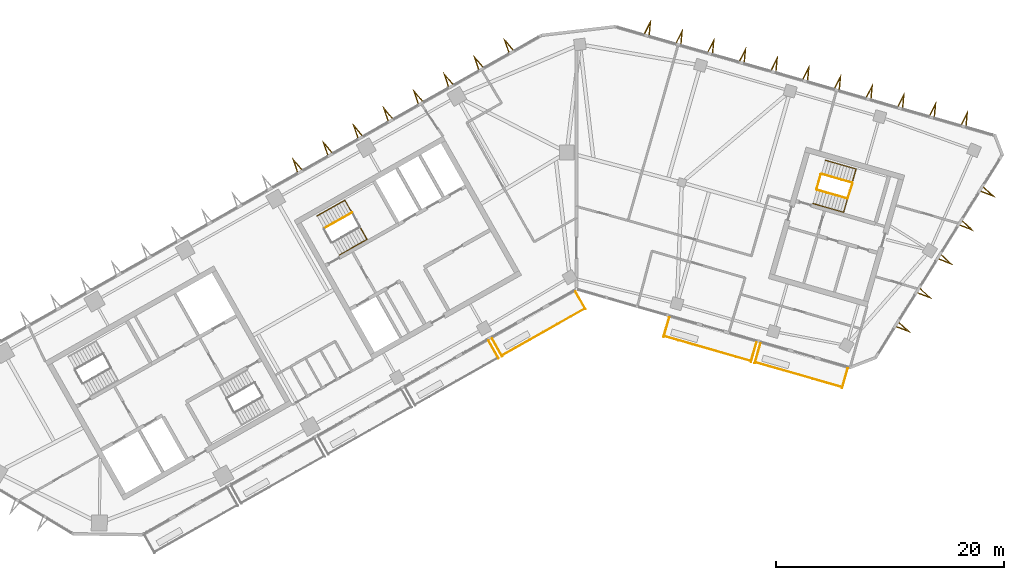
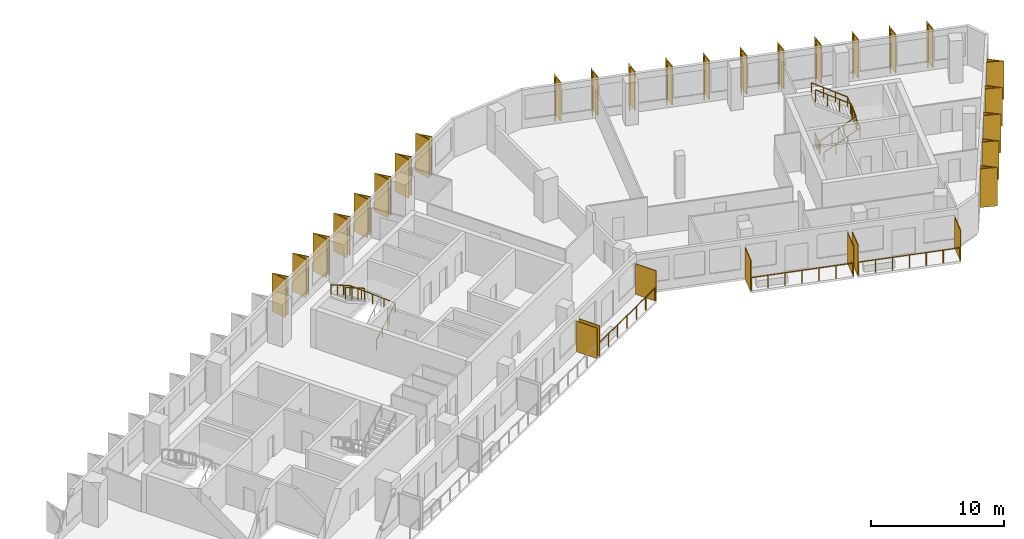
# One storey, part 11 of 12: 31 shading devices, 9 railings.
"""IFC4 building model written with IfcOpenShell, lengths in metres."""

from ifc_helpers import new_model, si_unit, direction, frame, origin, origin_2d, place, context, subcontext, project, spatial, polyline, rectangle, circle, outline, extrude, material, layer, layer_set, type_object, element, save


model = new_model("IFC4")

# Units and contexts
model_context = context("Model", 3, precision=1e-05, world=origin(), true_north=direction((0.0, 1.0)))
body_context = subcontext(model_context, "Body", "Model", "MODEL_VIEW")
ifc_project = project(units=[si_unit("LENGTHUNIT", "METRE"), si_unit("AREAUNIT", "SQUARE_METRE"), si_unit("VOLUMEUNIT", "CUBIC_METRE"), si_unit("PLANEANGLEUNIT", "RADIAN"), si_unit("MASSUNIT", "GRAM", prefix="KILO")], contexts=[model_context])

# Site, building, storey
site_placement = place(None, origin())
site = spatial("IfcSite", under=ifc_project, at=site_placement, CompositionType="ELEMENT")
building_placement = place(site_placement, origin())
building = spatial("IfcBuilding", under=site, at=building_placement, Name="Binnacle Exchange Tower", CompositionType="ELEMENT")
storey_placement = place(building_placement, frame((0.0, 0.0, 254.300048828125)))
storey = spatial("IfcBuildingStorey", under=building, at=storey_placement, Name="L56", CompositionType="ELEMENT", Elevation=254.300048828125)

# Railings
ifc_material_1 = material(Name="Bronze anodised aluminium frame", Category="aluminium")
railing_type_1 = type_object("IfcRailingType", Name="GUARD 1200", PredefinedType="GUARDRAIL", material=ifc_material_1)
railing_1_placement = place(storey_placement, frame((-6.5283203125, 42.186767578125, 0.0)))
element("IfcRailing", 1, at=railing_1_placement, inside=storey, type_object=railing_type_1, Name="Balcony guard G01-B04 L56", PredefinedType="GUARDRAIL", context=body_context, shape_type="SweptSolid", body=[
    extrude(circle(Radius=0.02392578125, at=origin_2d()), frame((0.0, 0.0, 1.17578125), z_axis=(0.870365821494, 0.492405662818, 0.0), x_axis=(-0.492405662818, 0.870365821494, 0.0)), (0.0, 0.0, 1.0), 8.334716796875),
    extrude(circle(Radius=0.02099609375, at=origin_2d()), origin(), (0.0, 0.0, 1.0), 1.15185546875),
    extrude(circle(Radius=0.02099609375, at=origin_2d()), frame((1.208984375, 0.68408203125, 0.0)), (0.0, 0.0, 1.0), 1.15185546875),
    extrude(circle(Radius=0.02099609375, at=origin_2d()), frame((2.41796875, 1.367919921875, 0.0)), (0.0, 0.0, 1.0), 1.15185546875),
    extrude(circle(Radius=0.02099609375, at=origin_2d()), frame((3.626953125, 2.052001953125, 0.0)), (0.0, 0.0, 1.0), 1.15185546875),
    extrude(circle(Radius=0.02099609375, at=origin_2d()), frame((4.836181640625, 2.736083984375, 0.0)), (0.0, 0.0, 1.0), 1.15185546875),
    extrude(circle(Radius=0.02099609375, at=origin_2d()), frame((6.045166015625, 3.419921875, 0.0)), (0.0, 0.0, 1.0), 1.15185546875),
    extrude(circle(Radius=0.02099609375, at=origin_2d()), frame((7.254150390625, 4.10400390625, 0.0)), (0.0, 0.0, 1.0), 1.15185546875),
])
railing_2_placement = place(storey_placement, frame((7.69140625, 43.875244140625, 0.0)))
element("IfcRailing", 2, at=railing_2_placement, inside=storey, type_object=railing_type_1, Name="Balcony guard G02-B01 L56", PredefinedType="GUARDRAIL", context=body_context, shape_type="SweptSolid", body=[
    extrude(circle(Radius=0.02392578125, at=origin_2d()), frame((0.0, 0.0, 1.17578125), z_axis=(0.961259965977, -0.275643388836, 0.0), x_axis=(0.275643388836, 0.961259965977, 0.0)), (0.0, 0.0, 1.0), 7.900634765625),
    extrude(circle(Radius=0.02099609375, at=origin_2d()), origin(), (0.0, 0.0, 1.0), 1.15185546875),
    extrude(circle(Radius=0.02099609375, at=origin_2d()), frame((1.265625, -0.363037109375, 0.0)), (0.0, 0.0, 1.0), 1.15185546875),
    extrude(circle(Radius=0.02099609375, at=origin_2d()), frame((2.531494140625, -0.725830078125, 0.0)), (0.0, 0.0, 1.0), 1.15185546875),
    extrude(circle(Radius=0.02099609375, at=origin_2d()), frame((3.79736328125, -1.0888671875, 0.0)), (0.0, 0.0, 1.0), 1.15185546875),
    extrude(circle(Radius=0.02099609375, at=origin_2d()), frame((5.06298828125, -1.451904296875, 0.0)), (0.0, 0.0, 1.0), 1.15185546875),
    extrude(circle(Radius=0.02099609375, at=origin_2d()), frame((6.32861328125, -1.814697265625, 0.0)), (0.0, 0.0, 1.0), 1.15185546875),
    extrude(circle(Radius=0.02099609375, at=origin_2d()), frame((7.594482421875, -2.177734375, 0.0)), (0.0, 0.0, 1.0), 1.15185546875),
])
railing_3_placement = place(storey_placement, frame((15.689453125, 41.581787109375, 0.0)))
element("IfcRailing", 3, at=railing_3_placement, inside=storey, type_object=railing_type_1, Name="Balcony guard G02-B02 L56", PredefinedType="GUARDRAIL", context=body_context, shape_type="SweptSolid", body=[
    extrude(circle(Radius=0.02392578125, at=origin_2d()), frame((0.0, 0.0, 1.17578125), z_axis=(0.961257617982, -0.275651576943, 0.0), x_axis=(0.275651576943, 0.961257617982, 0.0)), (0.0, 0.0, 1.0), 7.900390625),
    extrude(circle(Radius=0.02099609375, at=origin_2d()), origin(), (0.0, 0.0, 1.0), 1.15185546875),
    extrude(circle(Radius=0.02099609375, at=origin_2d()), frame((1.265625, -0.363037109375, 0.0)), (0.0, 0.0, 1.0), 1.15185546875),
    extrude(circle(Radius=0.02099609375, at=origin_2d()), frame((2.531494140625, -0.725830078125, 0.0)), (0.0, 0.0, 1.0), 1.15185546875),
    extrude(circle(Radius=0.02099609375, at=origin_2d()), frame((3.797119140625, -1.0888671875, 0.0)), (0.0, 0.0, 1.0), 1.15185546875),
    extrude(circle(Radius=0.02099609375, at=origin_2d()), frame((5.062744140625, -1.451904296875, 0.0)), (0.0, 0.0, 1.0), 1.15185546875),
    extrude(circle(Radius=0.02099609375, at=origin_2d()), frame((6.32861328125, -1.814697265625, 0.0)), (0.0, 0.0, 1.0), 1.15185546875),
    extrude(circle(Radius=0.02099609375, at=origin_2d()), frame((7.59423828125, -2.177734375, 0.0)), (0.0, 0.0, 1.0), 1.15185546875),
])

# Shading devices
ifc_material_2 = material(Name="Bronze aluminium louvre", Category="aluminium")
ifc_layer = layer(ifc_material_2, 0.06005859375)
ifc_layer_set = layer_set([ifc_layer], Name="PLANTED SCREEN 60x2800")
shading_device_type_1 = type_object("IfcShadingDeviceType", Name="PLANTED SCREEN 60x2800", PredefinedType="USERDEFINED", material=ifc_layer_set)
for number, where, z_axis, x_axis, name in (
    (4, (-7.271484375, 42.70849609375, 0.0), (0.0, 0.0, 1.0), (0.87035569594, 0.492423560103, 0.0), "Planted screen G01-B03b L56"),
    (5, (-6.9580078125, 42.885498046875, 0.0), (0.0, 0.0, 1.0), (0.87035569594, 0.492423560103, 0.0), "Planted screen G01-B04a L56"),
    (6, (0.34814453125, 47.019287109375, 0.0), (0.0, 0.0, 1.0), (0.87035569594, 0.492423560103, 0.0), "Planted screen G01-B04b L56"),
    (7, (7.888671875, 44.671630859375, 0.0), (0.0, 0.0, 1.0), (0.961261695938, -0.275637355817, 0.0), "Planted screen G02-B01a L56"),
    (8, (15.54052734375, 42.4775390625, 0.0), (0.0, 0.0, 1.0), (0.961261695938, -0.275637355817, 0.0), "Planted screen G02-B01b L56"),
    (9, (15.88671875, 42.37841796875, 0.0), (0.0, 0.0, 1.0), (0.961261695938, -0.275637355817, 0.0), "Planted screen G02-B02a L56"),
    (10, (23.538818359375, 40.18408203125, 0.0), (0.0, 0.0, 1.0), (0.961261695938, -0.275637355817, 0.0), "Planted screen G02-B02b L56"),
):
    element("IfcShadingDevice", number, at=place(storey_placement, frame(where, z_axis=z_axis, x_axis=x_axis)), inside=storey, type_object=shading_device_type_1, Name=name, ObjectType="SCREEN", PredefinedType="USERDEFINED", context=body_context, shape_type="SweptSolid", body=[
        extrude(rectangle(XDim=0.06005859375, YDim=1.800048828125, at=origin_2d()), origin(), (0.0, 0.0, 1.0), 2.800048828125),
    ])

# Railings
ifc_material_3 = material(Name="Steel guard rail", Category="steel")
railing_type_2 = type_object("IfcRailingType", Name="STAIR GUARD 1100", PredefinedType="GUARDRAIL", material=ifc_material_3)
railing_4_placement = place(storey_placement, frame((-19.70068359375, 54.71337890625, 2.127197265625)))
element("IfcRailing", 11, at=railing_4_placement, inside=storey, type_object=railing_type_2, Name="L56 STC1 stair guard 2", PredefinedType="GUARDRAIL", context=body_context, shape_type="SweptSolid", body=[
    extrude(circle(Radius=0.02392578125, at=origin_2d()), frame((0.0, 0.0, 1.076171875), z_axis=(-0.735381288273, -0.416018647052, 0.534923215202), x_axis=(0.492387636113, -0.870376019777, 0.0)), (0.0, 0.0, 1.0), 3.31396484375),
    extrude(circle(Radius=0.02099609375, at=origin_2d()), origin(), (0.0, 0.0, 1.0), 1.052001953125),
    extrude(circle(Radius=0.02099609375, at=origin_2d()), frame((-0.812255859375, -0.45947265625, 0.5908203125)), (0.0, 0.0, 1.0), 1.052001953125),
    extrude(circle(Radius=0.02099609375, at=origin_2d()), frame((-1.624755859375, -0.919189453125, 1.181884765625)), (0.0, 0.0, 1.0), 1.052001953125),
    extrude(circle(Radius=0.02099609375, at=origin_2d()), frame((-2.43701171875, -1.378662109375, 1.772705078125)), (0.0, 0.0, 1.0), 1.052001953125),
])
railing_5_placement = place(storey_placement, frame((21.086669921875, 56.71044921875, 0.17724609375)))
element("IfcRailing", 12, at=railing_5_placement, inside=storey, type_object=railing_type_2, Name="L56 STD1 stair guard 1", PredefinedType="GUARDRAIL", context=body_context, shape_type="SweptSolid", body=[
    extrude(circle(Radius=0.02392578125, at=origin_2d()), frame((0.0, 0.0, 1.076171875), z_axis=(0.81215085225, -0.232948203448, 0.534926282491), x_axis=(0.275711388614, 0.96124046429, 0.0)), (0.0, 0.0, 1.0), 3.31396484375),
    extrude(circle(Radius=0.02392578125, at=origin_2d()), frame((2.69140625, -0.77197265625, 2.8486328125), z_axis=(0.309842533299, 0.950787886208, 0.0), x_axis=(-0.950787886208, 0.309842533299, 0.0)), (0.0, 0.0, 1.0), 1.40087890625),
    extrude(circle(Radius=0.02099609375, at=origin_2d()), origin(), (0.0, 0.0, 1.0), 1.052001953125),
    extrude(circle(Radius=0.02099609375, at=origin_2d()), frame((0.897216796875, -0.25732421875, 0.5908203125)), (0.0, 0.0, 1.0), 1.052001953125),
    extrude(circle(Radius=0.02099609375, at=origin_2d()), frame((1.794189453125, -0.5146484375, 1.181884765625)), (0.0, 0.0, 1.0), 1.052001953125),
    extrude(circle(Radius=0.02099609375, at=origin_2d()), frame((2.69140625, -0.77197265625, 1.772705078125)), (0.0, 0.0, 1.0), 1.052001953125),
    extrude(circle(Radius=0.02099609375, at=origin_2d()), frame((2.908447265625, -0.10595703125, 1.772705078125)), (0.0, 0.0, 1.0), 1.052001953125),
    extrude(circle(Radius=0.02099609375, at=origin_2d()), frame((3.12548828125, 0.56005859375, 1.772705078125)), (0.0, 0.0, 1.0), 1.052001953125),
])
railing_6_placement = place(storey_placement, frame((24.177734375, 57.332275390625, 2.127197265625)))
element("IfcRailing", 13, at=railing_6_placement, inside=storey, type_object=railing_type_2, Name="L56 STD1 stair guard 2", PredefinedType="GUARDRAIL", context=body_context, shape_type="SweptSolid", body=[
    extrude(circle(Radius=0.02392578125, at=origin_2d()), frame((0.0, 0.0, 1.076171875), z_axis=(-0.81215085225, 0.232948203448, 0.534926282491), x_axis=(-0.275711388614, -0.96124046429, 0.0)), (0.0, 0.0, 1.0), 3.31396484375),
    extrude(circle(Radius=0.02099609375, at=origin_2d()), origin(), (0.0, 0.0, 1.0), 1.052001953125),
    extrude(circle(Radius=0.02099609375, at=origin_2d()), frame((-0.897216796875, 0.25732421875, 0.5908203125)), (0.0, 0.0, 1.0), 1.052001953125),
    extrude(circle(Radius=0.02099609375, at=origin_2d()), frame((-1.794189453125, 0.5146484375, 1.181884765625)), (0.0, 0.0, 1.0), 1.052001953125),
    extrude(circle(Radius=0.02099609375, at=origin_2d()), frame((-2.69140625, 0.77197265625, 1.772705078125)), (0.0, 0.0, 1.0), 1.052001953125),
])
railing_7_placement = place(storey_placement, frame((21.05224609375, 56.772216796875, 0.0)))
element("IfcRailing", 14, at=railing_7_placement, inside=storey, type_object=railing_type_2, Name="L56 STD1 stair guard 3", PredefinedType="GUARDRAIL", context=body_context, shape_type="SweptSolid", body=[
    extrude(circle(Radius=0.02392578125, at=origin_2d()), frame((0.0, 0.0, 1.076171875), z_axis=(0.275795817769, 0.961216243569, 0.0), x_axis=(-0.961216243569, 0.275795817769, 0.0)), (0.0, 0.0, 1.0), 1.349853515625),
    extrude(circle(Radius=0.02099609375, at=origin_2d()), origin(), (0.0, 0.0, 1.0), 1.052001953125),
    extrude(circle(Radius=0.02099609375, at=origin_2d()), frame((0.18603515625, 0.64892578125, 0.0)), (0.0, 0.0, 1.0), 1.052001953125),
    extrude(circle(Radius=0.02099609375, at=origin_2d()), frame((0.372314453125, 1.297607421875, 0.0)), (0.0, 0.0, 1.0), 1.052001953125),
])
ifc_material_4 = material(Name="Steel handrail", Category="steel")
railing_type_3 = type_object("IfcRailingType", Name="STAIR HANDRAIL 900", PredefinedType="HANDRAIL", material=ifc_material_4)
railing_8_placement = place(storey_placement, frame((-20.808349609375, 50.984619140625, 0.17724609375)))
element("IfcRailing", 15, at=railing_8_placement, inside=storey, type_object=railing_type_3, Name="L56 STC1 stair handrail 1", PredefinedType="HANDRAIL", context=body_context, shape_type="SweptSolid", body=[
    extrude(circle(Radius=0.02392578125, at=origin_2d()), frame((0.0, 0.0, 0.8759765625), z_axis=(0.735358749054, 0.416079564682, 0.534906819964), x_axis=(-0.492453686477, 0.870338650569, 0.0)), (0.0, 0.0, 1.0), 3.31396484375),
    extrude(circle(Radius=0.02392578125, at=origin_2d()), frame((2.43701171875, 1.37890625, 2.6484375), z_axis=(-0.491945051309, 0.869471352766, 0.044828932754), x_axis=(-0.87034633103, -0.492440112159, 0.0)), (0.0, 0.0, 1.0), 3.953857421875),
    extrude(circle(Radius=0.02392578125, at=origin_2d()), frame((0.491943359375, 4.816650390625, 2.82568359375), z_axis=(-0.735381288273, -0.416018647052, 0.534923215202), x_axis=(0.492387636113, -0.870376019777, 0.0)), (0.0, 0.0, 1.0), 3.31396484375),
    extrude(circle(Radius=0.02099609375, at=origin_2d()), origin(), (0.0, 0.0, 1.0), 0.851806640625),
    extrude(circle(Radius=0.02099609375, at=origin_2d()), frame((0.812255859375, 0.459716796875, 0.5908203125)), (0.0, 0.0, 1.0), 0.851806640625),
    extrude(circle(Radius=0.02099609375, at=origin_2d()), frame((1.624755859375, 0.919189453125, 1.181884765625)), (0.0, 0.0, 1.0), 0.851806640625),
    extrude(circle(Radius=0.02099609375, at=origin_2d()), frame((2.43701171875, 1.37890625, 1.772705078125)), (0.0, 0.0, 1.0), 0.851806640625),
    extrude(circle(Radius=0.02099609375, at=origin_2d()), frame((1.95068359375, 2.23828125, 1.81689453125)), (0.0, 0.0, 1.0), 0.851806640625),
    extrude(circle(Radius=0.02099609375, at=origin_2d()), frame((1.46435546875, 3.09765625, 1.861328125)), (0.0, 0.0, 1.0), 0.851806640625),
    extrude(circle(Radius=0.02099609375, at=origin_2d()), frame((0.978271484375, 3.957275390625, 1.90576171875)), (0.0, 0.0, 1.0), 0.851806640625),
    extrude(circle(Radius=0.02099609375, at=origin_2d()), frame((0.491943359375, 4.816650390625, 1.949951171875)), (0.0, 0.0, 1.0), 0.851806640625),
    extrude(circle(Radius=0.02099609375, at=origin_2d()), frame((-0.3203125, 4.357177734375, 2.540771484375)), (0.0, 0.0, 1.0), 0.851806640625),
    extrude(circle(Radius=0.02099609375, at=origin_2d()), frame((-1.1328125, 3.8974609375, 3.1318359375)), (0.0, 0.0, 1.0), 0.851806640625),
    extrude(circle(Radius=0.02099609375, at=origin_2d()), frame((-1.945068359375, 3.43798828125, 3.72265625)), (0.0, 0.0, 1.0), 0.851806640625),
])
railing_9_placement = place(storey_placement, frame((20.7421875, 55.5087890625, 0.17724609375)))
element("IfcRailing", 16, at=railing_9_placement, inside=storey, type_object=railing_type_3, Name="L56 STD1 stair handrail 1", PredefinedType="HANDRAIL", context=body_context, shape_type="SweptSolid", body=[
    extrude(circle(Radius=0.02392578125, at=origin_2d()), frame((0.0, 0.0, 0.8759765625), z_axis=(0.812164788183, -0.232878528252, 0.534935461448), x_axis=(0.275630818758, 0.961263570386, 0.0)), (0.0, 0.0, 1.0), 3.31396484375),
    extrude(circle(Radius=0.02392578125, at=origin_2d()), frame((2.69140625, -0.771728515625, 2.6484375), z_axis=(0.275390828663, 0.960286584611, 0.044828193186), x_axis=(-0.961252921364, 0.275667954558, 0.0)), (0.0, 0.0, 1.0), 3.953857421875),
    extrude(circle(Radius=0.02392578125, at=origin_2d()), frame((3.7802734375, 3.025146484375, 2.82568359375), z_axis=(-0.812189863168, 0.232864594782, 0.534903455461), x_axis=(-0.27560771734, -0.96127019414, 0.0)), (0.0, 0.0, 1.0), 3.31396484375),
    extrude(circle(Radius=0.02099609375, at=origin_2d()), origin(), (0.0, 0.0, 1.0), 0.851806640625),
    extrude(circle(Radius=0.02099609375, at=origin_2d()), frame((0.897216796875, -0.25732421875, 0.5908203125)), (0.0, 0.0, 1.0), 0.851806640625),
    extrude(circle(Radius=0.02099609375, at=origin_2d()), frame((1.794189453125, -0.514404296875, 1.181884765625)), (0.0, 0.0, 1.0), 0.851806640625),
    extrude(circle(Radius=0.02099609375, at=origin_2d()), frame((2.69140625, -0.771728515625, 1.772705078125)), (0.0, 0.0, 1.0), 0.851806640625),
    extrude(circle(Radius=0.02099609375, at=origin_2d()), frame((2.963623046875, 0.177490234375, 1.81689453125)), (0.0, 0.0, 1.0), 0.851806640625),
    extrude(circle(Radius=0.02099609375, at=origin_2d()), frame((3.23583984375, 1.126708984375, 1.861328125)), (0.0, 0.0, 1.0), 0.851806640625),
    extrude(circle(Radius=0.02099609375, at=origin_2d()), frame((3.508056640625, 2.075927734375, 1.90576171875)), (0.0, 0.0, 1.0), 0.851806640625),
    extrude(circle(Radius=0.02099609375, at=origin_2d()), frame((3.7802734375, 3.025146484375, 1.949951171875)), (0.0, 0.0, 1.0), 0.851806640625),
    extrude(circle(Radius=0.02099609375, at=origin_2d()), frame((2.883056640625, 3.282470703125, 2.540771484375)), (0.0, 0.0, 1.0), 0.851806640625),
    extrude(circle(Radius=0.02099609375, at=origin_2d()), frame((1.98583984375, 3.53955078125, 3.1318359375)), (0.0, 0.0, 1.0), 0.851806640625),
    extrude(circle(Radius=0.02099609375, at=origin_2d()), frame((1.088623046875, 3.796875, 3.72265625)), (0.0, 0.0, 1.0), 0.851806640625),
])

# Shading devices
ifc_material_5 = material(Name="Bronze aluminium cladding", Category="aluminium")
shading_device_type_2 = type_object("IfcShadingDeviceType", Name="V FIN 1300 DEEP x 3550 HIGH", PredefinedType="USERDEFINED", material=ifc_material_5)
shading_device_1_placement = place(storey_placement, origin())
element("IfcShadingDevice", 17, at=shading_device_1_placement, inside=storey, type_object=shading_device_type_2, Name="V fin FN-G04-01 L56", ObjectType="FIN", PredefinedType="USERDEFINED", context=body_context, shape_type="SweptSolid", body=[
    extrude(outline(polyline([(28.05908203125, 44.668212890625), (29.294189453125, 44.19140625), (28.32421875, 45.09228515625), (28.281005859375, 45.023193359375), (28.934814453125, 44.416015625), (28.102294921875, 44.7373046875), (28.05908203125, 44.668212890625)])), origin(), (0.0, 0.0, 1.0), 3.550048828125),
])
shading_device_2_placement = place(storey_placement, origin())
element("IfcShadingDevice", 18, at=shading_device_2_placement, inside=storey, type_object=shading_device_type_2, Name="V fin FN-G04-02 L56", ObjectType="FIN", PredefinedType="USERDEFINED", context=body_context, shape_type="SweptSolid", body=[
    extrude(outline(polyline([(29.913818359375, 47.636474609375), (31.14892578125, 47.15966796875), (30.178955078125, 48.060546875), (30.1357421875, 47.991455078125), (30.78955078125, 47.384033203125), (29.95703125, 47.70556640625), (29.913818359375, 47.636474609375)])), origin(), (0.0, 0.0, 1.0), 3.550048828125),
])
shading_device_3_placement = place(storey_placement, origin())
element("IfcShadingDevice", 19, at=shading_device_3_placement, inside=storey, type_object=shading_device_type_2, Name="V fin FN-G04-03 L56", ObjectType="FIN", PredefinedType="USERDEFINED", context=body_context, shape_type="SweptSolid", body=[
    extrude(outline(polyline([(31.768798828125, 50.604736328125), (33.003662109375, 50.127685546875), (32.03369140625, 51.02880859375), (31.990478515625, 50.959716796875), (32.644287109375, 50.352294921875), (31.81201171875, 50.673828125), (31.768798828125, 50.604736328125)])), origin(), (0.0, 0.0, 1.0), 3.550048828125),
])
shading_device_4_placement = place(storey_placement, origin())
element("IfcShadingDevice", 20, at=shading_device_4_placement, inside=storey, type_object=shading_device_type_2, Name="V fin FN-G04-04 L56", ObjectType="FIN", PredefinedType="USERDEFINED", context=body_context, shape_type="SweptSolid", body=[
    extrude(outline(polyline([(33.623291015625, 53.57275390625), (34.8583984375, 53.095947265625), (33.888427734375, 53.996826171875), (33.84521484375, 53.927734375), (34.4990234375, 53.3203125), (33.66650390625, 53.641845703125), (33.623291015625, 53.57275390625)])), origin(), (0.0, 0.0, 1.0), 3.550048828125),
])
shading_device_5_placement = place(storey_placement, origin())
element("IfcShadingDevice", 21, at=shading_device_5_placement, inside=storey, type_object=shading_device_type_2, Name="V fin FN-G04-05 L56", ObjectType="FIN", PredefinedType="USERDEFINED", context=body_context, shape_type="SweptSolid", body=[
    extrude(outline(polyline([(35.47802734375, 56.541015625), (36.713134765625, 56.064208984375), (35.7431640625, 56.965087890625), (35.699951171875, 56.89599609375), (36.353759765625, 56.28857421875), (35.521240234375, 56.610107421875), (35.47802734375, 56.541015625)])), origin(), (0.0, 0.0, 1.0), 3.550048828125),
])
shading_device_6_placement = place(storey_placement, origin())
element("IfcShadingDevice", 22, at=shading_device_6_placement, inside=storey, type_object=shading_device_type_2, Name="V fin FN-G06-01 L56", ObjectType="FIN", PredefinedType="USERDEFINED", context=body_context, shape_type="SweptSolid", body=[
    extrude(outline(polyline([(34.2080078125, 62.321044921875), (34.325927734375, 63.639404296875), (33.727294921875, 62.458740234375), (33.8056640625, 62.436279296875), (34.209228515625, 63.232421875), (34.129638671875, 62.343505859375), (34.2080078125, 62.321044921875)])), origin(), (0.0, 0.0, 1.0), 3.550048828125),
])
shading_device_7_placement = place(storey_placement, origin())
element("IfcShadingDevice", 23, at=shading_device_7_placement, inside=storey, type_object=shading_device_type_2, Name="V fin FN-G06-02 L56", ObjectType="FIN", PredefinedType="USERDEFINED", context=body_context, shape_type="SweptSolid", body=[
    extrude(outline(polyline([(31.428955078125, 63.117919921875), (31.547119140625, 64.436279296875), (30.948486328125, 63.255615234375), (31.026611328125, 63.2333984375), (31.430419921875, 64.029296875), (31.3505859375, 63.140380859375), (31.428955078125, 63.117919921875)])), origin(), (0.0, 0.0, 1.0), 3.550048828125),
])
shading_device_8_placement = place(storey_placement, origin())
element("IfcShadingDevice", 24, at=shading_device_8_placement, inside=storey, type_object=shading_device_type_2, Name="V fin FN-G06-03 L56", ObjectType="FIN", PredefinedType="USERDEFINED", context=body_context, shape_type="SweptSolid", body=[
    extrude(outline(polyline([(28.64990234375, 63.914794921875), (28.76806640625, 65.2333984375), (28.16943359375, 64.052490234375), (28.247802734375, 64.0302734375), (28.6513671875, 64.826171875), (28.57177734375, 63.937255859375), (28.64990234375, 63.914794921875)])), origin(), (0.0, 0.0, 1.0), 3.550048828125),
])
shading_device_9_placement = place(storey_placement, origin())
element("IfcShadingDevice", 25, at=shading_device_9_placement, inside=storey, type_object=shading_device_type_2, Name="V fin FN-G06-04 L56", ObjectType="FIN", PredefinedType="USERDEFINED", context=body_context, shape_type="SweptSolid", body=[
    extrude(outline(polyline([(25.87109375, 64.711669921875), (25.989013671875, 66.030029296875), (25.390380859375, 64.849365234375), (25.46875, 64.826904296875), (25.872314453125, 65.622802734375), (25.792724609375, 64.73388671875), (25.87109375, 64.711669921875)])), origin(), (0.0, 0.0, 1.0), 3.550048828125),
])
shading_device_10_placement = place(storey_placement, origin())
element("IfcShadingDevice", 26, at=shading_device_10_placement, inside=storey, type_object=shading_device_type_2, Name="V fin FN-G06-05 L56", ObjectType="FIN", PredefinedType="USERDEFINED", context=body_context, shape_type="SweptSolid", body=[
    extrude(outline(polyline([(23.092041015625, 65.508544921875), (23.210205078125, 66.826904296875), (22.611572265625, 65.646240234375), (22.689697265625, 65.623779296875), (23.093505859375, 66.419921875), (23.013916015625, 65.531005859375), (23.092041015625, 65.508544921875)])), origin(), (0.0, 0.0, 1.0), 3.550048828125),
])
shading_device_11_placement = place(storey_placement, origin())
element("IfcShadingDevice", 27, at=shading_device_11_placement, inside=storey, type_object=shading_device_type_2, Name="V fin FN-G06-06 L56", ObjectType="FIN", PredefinedType="USERDEFINED", context=body_context, shape_type="SweptSolid", body=[
    extrude(outline(polyline([(20.31298828125, 66.305419921875), (20.43115234375, 67.623779296875), (19.83251953125, 66.443115234375), (19.910888671875, 66.420654296875), (20.314453125, 67.216552734375), (20.23486328125, 66.32763671875), (20.31298828125, 66.305419921875)])), origin(), (0.0, 0.0, 1.0), 3.550048828125),
])
shading_device_12_placement = place(storey_placement, origin())
element("IfcShadingDevice", 28, at=shading_device_12_placement, inside=storey, type_object=shading_device_type_2, Name="V fin FN-G06-07 L56", ObjectType="FIN", PredefinedType="USERDEFINED", context=body_context, shape_type="SweptSolid", body=[
    extrude(outline(polyline([(17.5341796875, 67.102294921875), (17.652099609375, 68.420654296875), (17.053466796875, 67.239990234375), (17.1318359375, 67.217529296875), (17.535400390625, 68.013427734375), (17.455810546875, 67.12451171875), (17.5341796875, 67.102294921875)])), origin(), (0.0, 0.0, 1.0), 3.550048828125),
])
shading_device_13_placement = place(storey_placement, origin())
element("IfcShadingDevice", 29, at=shading_device_13_placement, inside=storey, type_object=shading_device_type_2, Name="V fin FN-G06-08 L56", ObjectType="FIN", PredefinedType="USERDEFINED", context=body_context, shape_type="SweptSolid", body=[
    extrude(outline(polyline([(14.755126953125, 67.899169921875), (14.873046875, 69.217529296875), (14.2744140625, 68.036865234375), (14.352783203125, 68.014404296875), (14.75634765625, 68.810302734375), (14.6767578125, 67.92138671875), (14.755126953125, 67.899169921875)])), origin(), (0.0, 0.0, 1.0), 3.550048828125),
])
shading_device_14_placement = place(storey_placement, origin())
element("IfcShadingDevice", 30, at=shading_device_14_placement, inside=storey, type_object=shading_device_type_2, Name="V fin FN-G06-09 L56", ObjectType="FIN", PredefinedType="USERDEFINED", context=body_context, shape_type="SweptSolid", body=[
    extrude(outline(polyline([(11.97607421875, 68.69580078125), (12.093994140625, 70.014404296875), (11.49560546875, 68.833740234375), (11.57373046875, 68.811279296875), (11.977294921875, 69.607177734375), (11.897705078125, 68.71826171875), (11.97607421875, 68.69580078125)])), origin(), (0.0, 0.0, 1.0), 3.550048828125),
])
shading_device_15_placement = place(storey_placement, origin())
element("IfcShadingDevice", 31, at=shading_device_15_placement, inside=storey, type_object=shading_device_type_2, Name="V fin FN-G06-10 L56", ObjectType="FIN", PredefinedType="USERDEFINED", context=body_context, shape_type="SweptSolid", body=[
    extrude(outline(polyline([(9.197265625, 69.492919921875), (9.315185546875, 70.811279296875), (8.716552734375, 69.630615234375), (8.794921875, 69.608154296875), (9.198486328125, 70.404052734375), (9.118896484375, 69.51513671875), (9.197265625, 69.492919921875)])), origin(), (0.0, 0.0, 1.0), 3.550048828125),
])
shading_device_16_placement = place(storey_placement, origin())
element("IfcShadingDevice", 32, at=shading_device_16_placement, inside=storey, type_object=shading_device_type_2, Name="V fin FN-G06-11 L56", ObjectType="FIN", PredefinedType="USERDEFINED", context=body_context, shape_type="SweptSolid", body=[
    extrude(outline(polyline([(6.418212890625, 70.28955078125), (6.5361328125, 71.608154296875), (5.9375, 70.427490234375), (6.015869140625, 70.405029296875), (6.41943359375, 71.200927734375), (6.33984375, 70.31201171875), (6.418212890625, 70.28955078125)])), origin(), (0.0, 0.0, 1.0), 3.550048828125),
])
shading_device_17_placement = place(storey_placement, origin())
element("IfcShadingDevice", 33, at=shading_device_17_placement, inside=storey, type_object=shading_device_type_2, Name="V fin FN-G08-01 L56", ObjectType="FIN", PredefinedType="USERDEFINED", context=body_context, shape_type="SweptSolid", body=[
    extrude(outline(polyline([(-5.538818359375, 69.009765625), (-6.396728515625, 70.018310546875), (-5.97412109375, 68.763671875), (-5.9033203125, 68.8037109375), (-6.18798828125, 69.6494140625), (-5.60986328125, 68.9697265625), (-5.538818359375, 69.009765625)])), origin(), (0.0, 0.0, 1.0), 3.550048828125),
])
shading_device_18_placement = place(storey_placement, origin())
element("IfcShadingDevice", 34, at=shading_device_18_placement, inside=storey, type_object=shading_device_type_2, Name="V fin FN-G08-02 L56", ObjectType="FIN", PredefinedType="USERDEFINED", context=body_context, shape_type="SweptSolid", body=[
    extrude(outline(polyline([(-8.187744140625, 67.51123046875), (-9.04541015625, 68.51953125), (-8.622802734375, 67.264892578125), (-8.552001953125, 67.30517578125), (-8.8369140625, 68.15087890625), (-8.258544921875, 67.47119140625), (-8.187744140625, 67.51123046875)])), origin(), (0.0, 0.0, 1.0), 3.550048828125),
])
shading_device_19_placement = place(storey_placement, origin())
element("IfcShadingDevice", 35, at=shading_device_19_placement, inside=storey, type_object=shading_device_type_2, Name="V fin FN-G08-03 L56", ObjectType="FIN", PredefinedType="USERDEFINED", context=body_context, shape_type="SweptSolid", body=[
    extrude(outline(polyline([(-10.83642578125, 66.0126953125), (-11.694091796875, 67.02099609375), (-11.271484375, 65.766357421875), (-11.20068359375, 65.806396484375), (-11.485595703125, 66.65234375), (-10.9072265625, 65.972412109375), (-10.83642578125, 66.0126953125)])), origin(), (0.0, 0.0, 1.0), 3.550048828125),
])
shading_device_20_placement = place(storey_placement, origin())
element("IfcShadingDevice", 36, at=shading_device_20_placement, inside=storey, type_object=shading_device_type_2, Name="V fin FN-G08-04 L56", ObjectType="FIN", PredefinedType="USERDEFINED", context=body_context, shape_type="SweptSolid", body=[
    extrude(outline(polyline([(-13.485107421875, 64.51416015625), (-14.343017578125, 65.5224609375), (-13.92041015625, 64.267822265625), (-13.849365234375, 64.30810546875), (-14.13427734375, 65.15380859375), (-13.555908203125, 64.47412109375), (-13.485107421875, 64.51416015625)])), origin(), (0.0, 0.0, 1.0), 3.550048828125),
])
shading_device_21_placement = place(storey_placement, origin())
element("IfcShadingDevice", 37, at=shading_device_21_placement, inside=storey, type_object=shading_device_type_2, Name="V fin FN-G08-05 L56", ObjectType="FIN", PredefinedType="USERDEFINED", context=body_context, shape_type="SweptSolid", body=[
    extrude(outline(polyline([(-16.1337890625, 63.015380859375), (-16.99169921875, 64.02392578125), (-16.569091796875, 62.769287109375), (-16.498046875, 62.809326171875), (-16.782958984375, 63.6552734375), (-16.20458984375, 62.975341796875), (-16.1337890625, 63.015380859375)])), origin(), (0.0, 0.0, 1.0), 3.550048828125),
])
shading_device_22_placement = place(storey_placement, origin())
element("IfcShadingDevice", 38, at=shading_device_22_placement, inside=storey, type_object=shading_device_type_2, Name="V fin FN-G08-06 L56", ObjectType="FIN", PredefinedType="USERDEFINED", context=body_context, shape_type="SweptSolid", body=[
    extrude(outline(polyline([(-18.78271484375, 61.516845703125), (-19.640380859375, 62.525390625), (-19.2177734375, 61.270751953125), (-19.14697265625, 61.310791015625), (-19.431640625, 62.156494140625), (-18.853515625, 61.476806640625), (-18.78271484375, 61.516845703125)])), origin(), (0.0, 0.0, 1.0), 3.550048828125),
])
shading_device_23_placement = place(storey_placement, origin())
element("IfcShadingDevice", 39, at=shading_device_23_placement, inside=storey, type_object=shading_device_type_2, Name="V fin FN-G08-07 L56", ObjectType="FIN", PredefinedType="USERDEFINED", context=body_context, shape_type="SweptSolid", body=[
    extrude(outline(polyline([(-21.431396484375, 60.018310546875), (-22.2890625, 61.026611328125), (-21.866455078125, 59.772216796875), (-21.795654296875, 59.812255859375), (-22.080322265625, 60.657958984375), (-21.502197265625, 59.978271484375), (-21.431396484375, 60.018310546875)])), origin(), (0.0, 0.0, 1.0), 3.550048828125),
])
shading_device_24_placement = place(storey_placement, origin())
element("IfcShadingDevice", 40, at=shading_device_24_placement, inside=storey, type_object=shading_device_type_2, Name="V fin FN-G08-08 L56", ObjectType="FIN", PredefinedType="USERDEFINED", context=body_context, shape_type="SweptSolid", body=[
    extrude(outline(polyline([(-24.080078125, 58.519775390625), (-24.93798828125, 59.528076171875), (-24.515380859375, 58.2734375), (-24.4443359375, 58.313720703125), (-24.729248046875, 59.159423828125), (-24.15087890625, 58.4794921875), (-24.080078125, 58.519775390625)])), origin(), (0.0, 0.0, 1.0), 3.550048828125),
])

save(model, "model.ifc")
